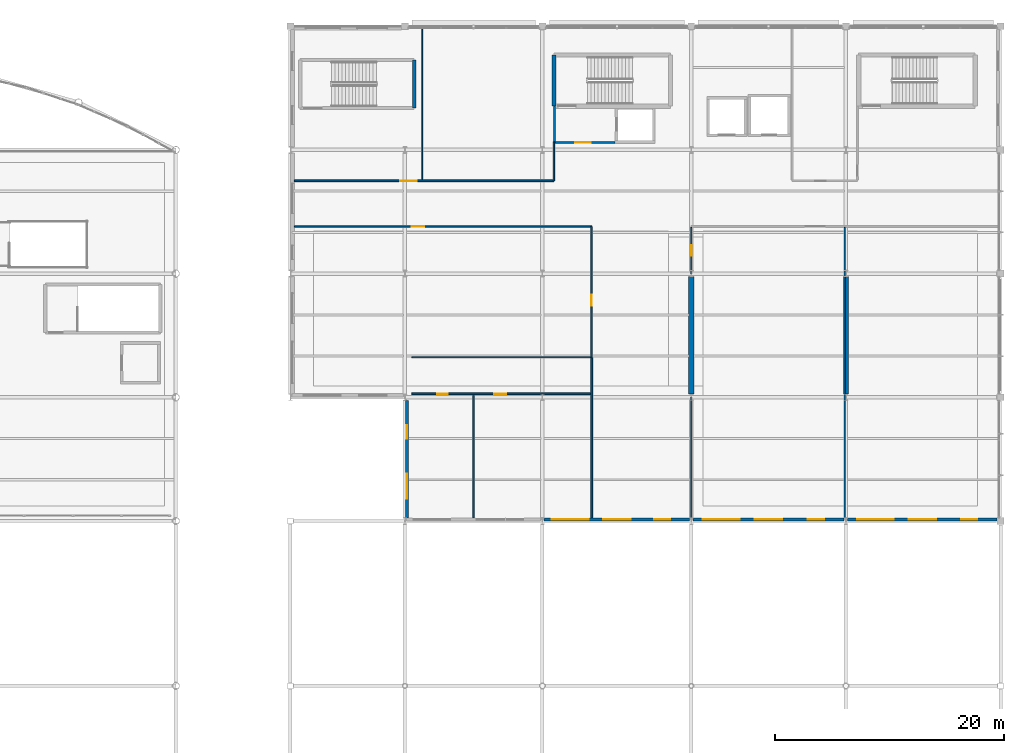
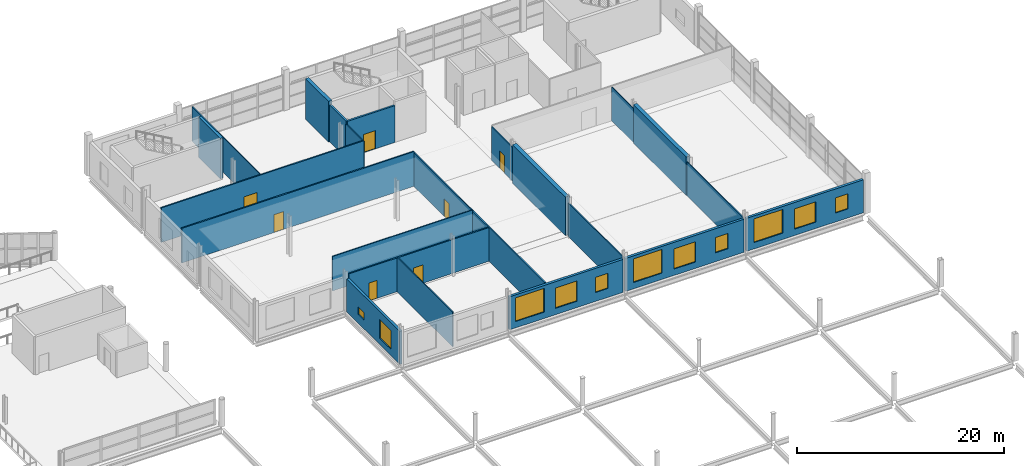
# One storey, part 125 of 134: 22 walls, 11 windows, 7 doors, 18 openings.
"""IFC4 building model written with IfcOpenShell, lengths in metres."""

import ifcopenshell
import ifcopenshell.guid

model = None  # the IFC model being written
_history = None  # IfcOwnerHistory: only IFC2X3 demands one
_inside = {}  # id of a spatial element -> (the spatial element, [elements in it])
_under = {}  # id of a project, library or spatial element -> (it, [spatial elements below it])
_declared = {}  # id of a project -> (the project, [libraries it declares])
_typed = {}  # id of a type object -> (the type object, [elements of that type])
_made_of = {}  # id of a material, layer set ... -> (it, [elements and type objects made of it])


def new_model(schema):
    """Start an empty IFC model of exactly this schema.

    Asked for "IFC4X3", IfcOpenShell would pick the latest addendum, in which some entities
    have other attributes; the version numbers below select the first issue.
    IFC2X3 requires an IfcOwnerHistory on every rooted entity: one is made here for all.
    """
    global model, _history
    if schema == "IFC4X3":
        model = ifcopenshell.file(schema_version=(4, 3, 0, 0))
    else:
        model = ifcopenshell.file(schema=schema)
    _inside.clear()
    _under.clear()
    _declared.clear()
    _typed.clear()
    _made_of.clear()
    _history = None
    if model.schema == "IFC2X3":
        org = make("IfcOrganization", Name="unknown")
        user = make(
            "IfcPersonAndOrganization",
            ThePerson=make("IfcPerson", FamilyName="unknown"),
            TheOrganization=org,
        )
        app = make(
            "IfcApplication",
            ApplicationDeveloper=org,
            Version="unknown",
            ApplicationFullName="unknown",
            ApplicationIdentifier="unknown",
        )
        _history = make(
            "IfcOwnerHistory",
            OwningUser=user,
            OwningApplication=app,
            ChangeAction="ADDED",
            CreationDate=0,
        )
    return model


def make(cls, **values):
    """One entity of the class cls with the attributes given. An attribute that is None is left unset."""
    return model.create_entity(
        cls, **{name: value for name, value in values.items() if value is not None}
    )


def rooted(cls, **values):
    """An entity with a GlobalId (a new one), such as an element, a storey or a relation."""
    return make(cls, GlobalId=ifcopenshell.guid.new(), OwnerHistory=_history, **values)


def si_unit(unit_type, name, prefix=None):
    """IfcSIUnit, for example si_unit("LENGTHUNIT", "METRE", prefix="MILLI")."""
    return make("IfcSIUnit", UnitType=unit_type, Prefix=prefix, Name=name)


def assignment(units):
    """IfcUnitAssignment: the units of a project."""
    return None if units is None else make("IfcUnitAssignment", Units=units)


def point(xyz):
    """IfcCartesianPoint."""
    return None if xyz is None else make("IfcCartesianPoint", Coordinates=xyz)


def direction(xyz):
    """IfcDirection."""
    return None if xyz is None else make("IfcDirection", DirectionRatios=xyz)


def frame(location, z_axis=None, x_axis=None):
    """IfcAxis2Placement3D, a coordinate frame: its origin and axes. An axis left out is left unset."""
    return make(
        "IfcAxis2Placement3D",
        Location=point(location),
        Axis=direction(z_axis),
        RefDirection=direction(x_axis),
    )


def frame_2d(location, x_axis=None):
    """IfcAxis2Placement2D, a coordinate frame in the plane: its origin and x axis."""
    return make(
        "IfcAxis2Placement2D", Location=point(location), RefDirection=direction(x_axis)
    )


def origin():
    """The frame at (0, 0, 0) with its axes left unset."""
    return frame((0.0, 0.0, 0.0))


def place(relative_to, where):
    """IfcLocalPlacement: puts the frame where relative to a parent placement (None: the world)."""
    return make(
        "IfcLocalPlacement", PlacementRelTo=relative_to, RelativePlacement=where
    )


def context(
    kind, dimensions, precision=None, world=None, true_north=None, identifier=None
):
    """IfcGeometricRepresentationContext, for example the 3D "Model" context."""
    return make(
        "IfcGeometricRepresentationContext",
        ContextIdentifier=identifier,
        ContextType=kind,
        CoordinateSpaceDimension=dimensions,
        Precision=precision,
        WorldCoordinateSystem=world,
        TrueNorth=true_north,
    )


def subcontext(parent, identifier, kind, view, scale=None):
    """IfcGeometricRepresentationSubContext, for example "Body" below "Model"."""
    return make(
        "IfcGeometricRepresentationSubContext",
        ContextIdentifier=identifier,
        ContextType=kind,
        ParentContext=parent,
        TargetScale=scale,
        TargetView=view,
    )


def project(units=None, contexts=None):
    """IfcProject with its units and contexts."""
    return rooted(
        "IfcProject",
        Name="project",
        RepresentationContexts=contexts,
        UnitsInContext=assignment(units),
    )


def spatial(cls, under=None, at=None, **own):
    """A site, building, storey or space (cls), placed at a placement, below another one or the project."""
    s = rooted(cls, ObjectPlacement=at, **own)
    if under is not None:
        _under.setdefault(under.id(), (under, []))[1].append(s)
    return s


def profile(cls, at=None, kind="AREA", **sizes):
    """A parametric profile (cls). Its sizes go by their IFC names, for example OverallWidth=200.0."""
    return make(cls, ProfileType=kind, Position=at, **sizes)


def rectangle(**sizes):
    """IfcRectangleProfileDef."""
    return profile("IfcRectangleProfileDef", **sizes)


def extrude(swept, where, along, depth):
    """IfcExtrudedAreaSolid: the profile swept, set in the frame where, extruded along a direction by depth."""
    return make(
        "IfcExtrudedAreaSolid",
        SweptArea=swept,
        Position=where,
        ExtrudedDirection=direction(along),
        Depth=depth,
    )


def shape(context_of_items, identifier, shape_type, items):
    """IfcShapeRepresentation: the items that make up one representation, for example the "Body"."""
    return make(
        "IfcShapeRepresentation",
        ContextOfItems=context_of_items,
        RepresentationIdentifier=identifier,
        RepresentationType=shape_type,
        Items=items,
    )


def material(Name=None, Category=None):
    """IfcMaterial."""
    return make("IfcMaterial", Name=Name, Category=Category)


def layer(
    of_material, thickness, ventilated=None, Name=None, Category=None, Priority=None
):
    """IfcMaterialLayer: one layer of a wall or slab, of a material (None: an air gap)."""
    return make(
        "IfcMaterialLayer",
        Material=of_material,
        LayerThickness=thickness,
        IsVentilated=ventilated,
        Name=Name,
        Category=Category,
        Priority=Priority,
    )


def layer_set(layers, Name=None):
    """IfcMaterialLayerSet."""
    return make("IfcMaterialLayerSet", MaterialLayers=layers, LayerSetName=Name)


def made_of(thing, what):
    """Note that an element or type object is made of a material, layer set ...; save() writes the relation."""
    if what is not None:
        _made_of.setdefault(what.id(), (what, []))[1].append(thing)
    return thing


def type_object(cls, material=None, **own):
    """A type object (cls), such as IfcWallType, which elements share."""
    return made_of(rooted(cls, **own), material)


def element(
    cls,
    number,
    at=None,
    inside=None,
    cuts=None,
    type_object=None,
    material=None,
    context=None,
    identifier="Body",
    shape_type=None,
    held_by="IfcProductDefinitionShape",
    body=None,
    shapes=None,
    **own,
):
    """One element of the class cls, such as IfcWall. Its Tag is "e" and its number.

    at: its placement. inside: the storey or other place that contains it. cuts: it is an
    opening in that element (IfcRelVoidsElement). A single representation is given by context,
    identifier, shape_type and body (its items); several are given by shapes. held_by: the class
    of the entity that holds the representations. save() writes the other relations.
    """
    e = rooted(cls, Tag="e%d" % number, ObjectPlacement=at, **own)
    if body is not None:
        shapes = [shape(context, identifier, shape_type, body)]
    if shapes is not None:
        e.Representation = make(held_by, Representations=shapes)
    if inside is not None:
        _inside.setdefault(inside.id(), (inside, []))[1].append(e)
    if cuts is not None:
        rooted(
            "IfcRelVoidsElement", RelatingBuildingElement=cuts, RelatedOpeningElement=e
        )
    if type_object is not None:
        _typed.setdefault(type_object.id(), (type_object, []))[1].append(e)
    return made_of(e, material)


def fill(opening, filler):
    """IfcRelFillsElement: the door or window that sits in an opening."""
    return rooted(
        "IfcRelFillsElement",
        RelatingOpeningElement=opening,
        RelatedBuildingElement=filler,
    )


def aggregate(whole, parts):
    """IfcRelAggregates: a whole, such as a stair, and the parts it consists of."""
    return rooted("IfcRelAggregates", RelatingObject=whole, RelatedObjects=parts)


def save(model, path):
    """Write the relations noted so far, then the file.

    IfcRelAggregates (storeys below a building ...), IfcRelContainedInSpatialStructure (elements
    in a storey), IfcRelDefinesByType, IfcRelAssociatesMaterial and IfcRelDeclares: one each for
    every whole, place, type object, material and project.
    """
    for whole, parts in _under.values():
        aggregate(whole, parts)
    for where, things in _inside.values():
        rooted(
            "IfcRelContainedInSpatialStructure",
            RelatedElements=things,
            RelatingStructure=where,
        )
    for kind, things in _typed.values():
        rooted("IfcRelDefinesByType", RelatedObjects=things, RelatingType=kind)
    for what, things in _made_of.values():
        rooted("IfcRelAssociatesMaterial", RelatedObjects=things, RelatingMaterial=what)
    for by, libraries in _declared.values():
        rooted("IfcRelDeclares", RelatingContext=by, RelatedDefinitions=libraries)
    model.write(path)


model = new_model("IFC4")

# Units and contexts
model_context = context("Model", 3, precision=1e-05, world=origin(), true_north=direction((0.0, 1.0)))
body_context = subcontext(model_context, "Body", "Model", "MODEL_VIEW")
ifc_project = project(units=[si_unit("LENGTHUNIT", "METRE"), si_unit("AREAUNIT", "SQUARE_METRE"), si_unit("VOLUMEUNIT", "CUBIC_METRE"), si_unit("PLANEANGLEUNIT", "RADIAN"), si_unit("MASSUNIT", "GRAM", prefix="KILO")], contexts=[model_context])

# Site, building, storey
site_placement = place(None, origin())
site = spatial("IfcSite", under=ifc_project, at=site_placement, CompositionType="ELEMENT")
building_placement = place(site_placement, origin())
building = spatial("IfcBuilding", under=site, at=building_placement, Name="Tamarisk Ironworks Central Station", CompositionType="ELEMENT")
storey_placement = place(building_placement, frame((0.0, 0.0, 12.60009765625)))
storey = spatial("IfcBuildingStorey", under=building, at=storey_placement, Name="L02", CompositionType="ELEMENT", Elevation=12.60009765625)

# Wall, openings, windows
ifc_material_1 = material(Name="Clay facing brickwork and mortar", Category="masonry")
ifc_layer_1 = layer(ifc_material_1, 0.280029296875)
ifc_layer_set_1 = layer_set([ifc_layer_1], Name="Clay facing brickwork and mortar")
wall_type_1 = type_object("IfcWallType", Name="WL-BR280", PredefinedType="STANDARD", material=ifc_layer_set_1)
wall_1_placement = place(storey_placement, frame((140.14794921875, 79.340087890625, 0.0), z_axis=(0.0, 0.0, 1.0), x_axis=(1.0, 0.0, 0.0)))
wall_1 = element("IfcWall", 1, at=wall_1_placement, inside=storey, type_object=wall_type_1, Name="L02 brick facade wall 0069", PredefinedType="STANDARD", context=body_context, shape_type="SweptSolid", body=[
    extrude(rectangle(XDim=12.7041015625, YDim=0.280029296875, at=frame_2d((6.35205078125, 0.0))), origin(), (0.0, 0.0, 1.0), 3.89990234375),
])
opening_1_placement = place(wall_1_placement, frame((0.68408203125, 0.0, 0.75)))
opening_1 = element("IfcOpeningElement", 2, at=opening_1_placement, cuts=wall_1, Name="Opening W02", PredefinedType="OPENING", context=body_context, shape_type="SweptSolid", body=[
    extrude(rectangle(XDim=3.199951171875, YDim=2.800048828125, at=frame_2d((1.60009765625, 1.39990234375))), frame((0.0, 0.15185546875, 0.0), z_axis=(0.0, -1.0, 0.0), x_axis=(1.0, 0.0, 0.0)), (0.0, 0.0, 1.0), 0.303955078125),
])
opening_2_placement = place(wall_1_placement, frame((5.152099609375, 0.0, 0.75)))
opening_2 = element("IfcOpeningElement", 3, at=opening_2_placement, cuts=wall_1, Name="Opening W06", PredefinedType="OPENING", context=body_context, shape_type="SweptSolid", body=[
    extrude(rectangle(XDim=2.39990234375, YDim=2.39990234375, at=frame_2d((1.199951171875, 1.199951171875))), frame((0.0, 0.15185546875, 0.0), z_axis=(0.0, -1.0, 0.0), x_axis=(1.0, 0.0, 0.0)), (0.0, 0.0, 1.0), 0.303955078125),
])
opening_3_placement = place(wall_1_placement, frame((9.6201171875, 0.0, 1.050048828125)))
opening_3 = element("IfcOpeningElement", 4, at=opening_3_placement, cuts=wall_1, Name="Opening W12", PredefinedType="OPENING", context=body_context, shape_type="SweptSolid", body=[
    extrude(rectangle(XDim=1.39990234375, YDim=1.800048828125, at=frame_2d((0.699951171875, 0.89990234375))), frame((0.0, 0.15185546875, 0.0), z_axis=(0.0, -1.0, 0.0), x_axis=(1.0, 0.0, 0.0)), (0.0, 0.0, 1.0), 0.303955078125),
])
ifc_material_2 = material(Name="Laminated solar-control low-E glass", Category="glass")
window_type_1 = type_object("IfcWindowType", Name="WN-02", PartitioningType="SINGLE_PANEL", PredefinedType="WINDOW", material=ifc_material_2)
window_1_placement = place(opening_1_placement, origin())
window_1 = element("IfcWindow", 5, at=window_1_placement, inside=storey, type_object=window_type_1, Name="L02 exterior window 0112", OverallHeight=2.800048828125, OverallWidth=3.199951171875, PartitioningType="DOUBLE_PANEL_VERTICAL", PredefinedType="WINDOW", context=body_context, shape_type="SweptSolid", body=[
    extrude(rectangle(XDim=3.199951171875, YDim=2.800048828125, at=frame_2d((1.60009765625, 1.39990234375))), frame((0.0, 0.030029296875, 0.0), z_axis=(0.0, -1.0, 0.0), x_axis=(1.0, 0.0, 0.0)), (0.0, 0.0, 1.0), 0.06005859375),
])
fill(opening_1, window_1)
window_type_2 = type_object("IfcWindowType", Name="WN-06", PartitioningType="SINGLE_PANEL", PredefinedType="WINDOW", material=ifc_material_2)
window_2_placement = place(opening_2_placement, origin())
window_2 = element("IfcWindow", 6, at=window_2_placement, inside=storey, type_object=window_type_2, Name="L02 exterior window 0113", OverallHeight=2.39990234375, OverallWidth=2.39990234375, PartitioningType="DOUBLE_PANEL_VERTICAL", PredefinedType="WINDOW", context=body_context, shape_type="SweptSolid", body=[
    extrude(rectangle(XDim=2.39990234375, YDim=2.39990234375, at=frame_2d((1.199951171875, 1.199951171875))), frame((0.0, 0.030029296875, 0.0), z_axis=(0.0, -1.0, 0.0), x_axis=(1.0, 0.0, 0.0)), (0.0, 0.0, 1.0), 0.06005859375),
])
fill(opening_2, window_2)
window_type_3 = type_object("IfcWindowType", Name="WN-12", PartitioningType="SINGLE_PANEL", PredefinedType="WINDOW", material=ifc_material_2)
window_3_placement = place(opening_3_placement, origin())
window_3 = element("IfcWindow", 7, at=window_3_placement, inside=storey, type_object=window_type_3, Name="L02 exterior window 0114", OverallHeight=1.800048828125, OverallWidth=1.39990234375, PartitioningType="DOUBLE_PANEL_VERTICAL", PredefinedType="WINDOW", context=body_context, shape_type="SweptSolid", body=[
    extrude(rectangle(XDim=1.39990234375, YDim=1.800048828125, at=frame_2d((0.699951171875, 0.89990234375))), frame((0.0, 0.030029296875, 0.0), z_axis=(0.0, -1.0, 0.0), x_axis=(1.0, 0.0, 0.0)), (0.0, 0.0, 1.0), 0.06005859375),
])
fill(opening_3, window_3)

wall_2_placement = place(storey_placement, frame((153.14794921875, 79.340087890625, 0.0), z_axis=(0.0, 0.0, 1.0), x_axis=(1.0, 0.0, 0.0)))
wall_2 = element("IfcWall", 8, at=wall_2_placement, inside=storey, type_object=wall_type_1, Name="L02 brick facade wall 0070", PredefinedType="STANDARD", context=body_context, shape_type="SweptSolid", body=[
    extrude(rectangle(XDim=13.2041015625, YDim=0.280029296875, at=frame_2d((6.60205078125, 0.0))), origin(), (0.0, 0.0, 1.0), 3.89990234375),
])
opening_4_placement = place(wall_2_placement, frame((0.866943359375, 0.0, 0.75)))
opening_4 = element("IfcOpeningElement", 9, at=opening_4_placement, cuts=wall_2, Name="Opening W02", PredefinedType="OPENING", context=body_context, shape_type="SweptSolid", body=[
    extrude(rectangle(XDim=3.199951171875, YDim=2.800048828125, at=frame_2d((1.60009765625, 1.39990234375))), frame((0.0, 0.15185546875, 0.0), z_axis=(0.0, -1.0, 0.0), x_axis=(1.0, 0.0, 0.0)), (0.0, 0.0, 1.0), 0.303955078125),
])
opening_5_placement = place(wall_2_placement, frame((5.402099609375, 0.0, 0.75)))
opening_5 = element("IfcOpeningElement", 10, at=opening_5_placement, cuts=wall_2, Name="Opening W06", PredefinedType="OPENING", context=body_context, shape_type="SweptSolid", body=[
    extrude(rectangle(XDim=2.39990234375, YDim=2.39990234375, at=frame_2d((1.199951171875, 1.199951171875))), frame((0.0, 0.15185546875, 0.0), z_axis=(0.0, -1.0, 0.0), x_axis=(1.0, 0.0, 0.0)), (0.0, 0.0, 1.0), 0.303955078125),
])
opening_6_placement = place(wall_2_placement, frame((10.037109375, 0.0, 1.050048828125)))
opening_6 = element("IfcOpeningElement", 11, at=opening_6_placement, cuts=wall_2, Name="Opening W12", PredefinedType="OPENING", context=body_context, shape_type="SweptSolid", body=[
    extrude(rectangle(XDim=1.39990234375, YDim=1.800048828125, at=frame_2d((0.699951171875, 0.89990234375))), frame((0.0, 0.15185546875, 0.0), z_axis=(0.0, -1.0, 0.0), x_axis=(1.0, 0.0, 0.0)), (0.0, 0.0, 1.0), 0.303955078125),
])
window_4_placement = place(opening_4_placement, origin())
window_4 = element("IfcWindow", 12, at=window_4_placement, inside=storey, type_object=window_type_1, Name="L02 exterior window 0115", OverallHeight=2.800048828125, OverallWidth=3.199951171875, PartitioningType="DOUBLE_PANEL_VERTICAL", PredefinedType="WINDOW", context=body_context, shape_type="SweptSolid", body=[
    extrude(rectangle(XDim=3.199951171875, YDim=2.800048828125, at=frame_2d((1.60009765625, 1.39990234375))), frame((0.0, 0.030029296875, 0.0), z_axis=(0.0, -1.0, 0.0), x_axis=(1.0, 0.0, 0.0)), (0.0, 0.0, 1.0), 0.06005859375),
])
fill(opening_4, window_4)
window_5_placement = place(opening_5_placement, origin())
window_5 = element("IfcWindow", 13, at=window_5_placement, inside=storey, type_object=window_type_2, Name="L02 exterior window 0116", OverallHeight=2.39990234375, OverallWidth=2.39990234375, PartitioningType="DOUBLE_PANEL_VERTICAL", PredefinedType="WINDOW", context=body_context, shape_type="SweptSolid", body=[
    extrude(rectangle(XDim=2.39990234375, YDim=2.39990234375, at=frame_2d((1.199951171875, 1.199951171875))), frame((0.0, 0.030029296875, 0.0), z_axis=(0.0, -1.0, 0.0), x_axis=(1.0, 0.0, 0.0)), (0.0, 0.0, 1.0), 0.06005859375),
])
fill(opening_5, window_5)
window_6_placement = place(opening_6_placement, origin())
window_6 = element("IfcWindow", 14, at=window_6_placement, inside=storey, type_object=window_type_3, Name="L02 exterior window 0117", OverallHeight=1.800048828125, OverallWidth=1.39990234375, PartitioningType="DOUBLE_PANEL_VERTICAL", PredefinedType="WINDOW", context=body_context, shape_type="SweptSolid", body=[
    extrude(rectangle(XDim=1.39990234375, YDim=1.800048828125, at=frame_2d((0.699951171875, 0.89990234375))), frame((0.0, 0.030029296875, 0.0), z_axis=(0.0, -1.0, 0.0), x_axis=(1.0, 0.0, 0.0)), (0.0, 0.0, 1.0), 0.06005859375),
])
fill(opening_6, window_6)

wall_3_placement = place(storey_placement, frame((166.64794921875, 79.340087890625, 0.0), z_axis=(0.0, 0.0, 1.0), x_axis=(1.0, 0.0, 0.0)))
wall_3 = element("IfcWall", 15, at=wall_3_placement, inside=storey, type_object=wall_type_1, Name="L02 brick facade wall 0071", PredefinedType="STANDARD", context=body_context, shape_type="SweptSolid", body=[
    extrude(rectangle(XDim=13.053955078125, YDim=0.280029296875, at=frame_2d((6.52685546875, 0.0))), origin(), (0.0, 0.0, 1.0), 3.89990234375),
])
opening_7_placement = place(wall_3_placement, frame((0.842041015625, 0.0, 0.75)))
opening_7 = element("IfcOpeningElement", 16, at=opening_7_placement, cuts=wall_3, Name="Opening W02", PredefinedType="OPENING", context=body_context, shape_type="SweptSolid", body=[
    extrude(rectangle(XDim=3.199951171875, YDim=2.800048828125, at=frame_2d((1.60009765625, 1.39990234375))), frame((0.0, 0.15185546875, 0.0), z_axis=(0.0, -1.0, 0.0), x_axis=(1.0, 0.0, 0.0)), (0.0, 0.0, 1.0), 0.303955078125),
])
opening_8_placement = place(wall_3_placement, frame((5.326904296875, 0.0, 0.75)))
opening_8 = element("IfcOpeningElement", 17, at=opening_8_placement, cuts=wall_3, Name="Opening W06", PredefinedType="OPENING", context=body_context, shape_type="SweptSolid", body=[
    extrude(rectangle(XDim=2.39990234375, YDim=2.39990234375, at=frame_2d((1.199951171875, 1.199951171875))), frame((0.0, 0.15185546875, 0.0), z_axis=(0.0, -1.0, 0.0), x_axis=(1.0, 0.0, 0.0)), (0.0, 0.0, 1.0), 0.303955078125),
])
opening_9_placement = place(wall_3_placement, frame((9.912109375, 0.0, 1.050048828125)))
opening_9 = element("IfcOpeningElement", 18, at=opening_9_placement, cuts=wall_3, Name="Opening W12", PredefinedType="OPENING", context=body_context, shape_type="SweptSolid", body=[
    extrude(rectangle(XDim=1.39990234375, YDim=1.800048828125, at=frame_2d((0.699951171875, 0.89990234375))), frame((0.0, 0.15185546875, 0.0), z_axis=(0.0, -1.0, 0.0), x_axis=(1.0, 0.0, 0.0)), (0.0, 0.0, 1.0), 0.303955078125),
])
window_7_placement = place(opening_7_placement, origin())
window_7 = element("IfcWindow", 19, at=window_7_placement, inside=storey, type_object=window_type_1, Name="L02 exterior window 0118", OverallHeight=2.800048828125, OverallWidth=3.199951171875, PartitioningType="DOUBLE_PANEL_VERTICAL", PredefinedType="WINDOW", context=body_context, shape_type="SweptSolid", body=[
    extrude(rectangle(XDim=3.199951171875, YDim=2.800048828125, at=frame_2d((1.60009765625, 1.39990234375))), frame((0.0, 0.030029296875, 0.0), z_axis=(0.0, -1.0, 0.0), x_axis=(1.0, 0.0, 0.0)), (0.0, 0.0, 1.0), 0.06005859375),
])
fill(opening_7, window_7)
window_8_placement = place(opening_8_placement, origin())
window_8 = element("IfcWindow", 20, at=window_8_placement, inside=storey, type_object=window_type_2, Name="L02 exterior window 0119", OverallHeight=2.39990234375, OverallWidth=2.39990234375, PartitioningType="DOUBLE_PANEL_VERTICAL", PredefinedType="WINDOW", context=body_context, shape_type="SweptSolid", body=[
    extrude(rectangle(XDim=2.39990234375, YDim=2.39990234375, at=frame_2d((1.199951171875, 1.199951171875))), frame((0.0, 0.030029296875, 0.0), z_axis=(0.0, -1.0, 0.0), x_axis=(1.0, 0.0, 0.0)), (0.0, 0.0, 1.0), 0.06005859375),
])
fill(opening_8, window_8)
window_9_placement = place(opening_9_placement, origin())
window_9 = element("IfcWindow", 21, at=window_9_placement, inside=storey, type_object=window_type_3, Name="L02 exterior window 0120", OverallHeight=1.800048828125, OverallWidth=1.39990234375, PartitioningType="DOUBLE_PANEL_VERTICAL", PredefinedType="WINDOW", context=body_context, shape_type="SweptSolid", body=[
    extrude(rectangle(XDim=1.39990234375, YDim=1.800048828125, at=frame_2d((0.699951171875, 0.89990234375))), frame((0.0, 0.030029296875, 0.0), z_axis=(0.0, -1.0, 0.0), x_axis=(1.0, 0.0, 0.0)), (0.0, 0.0, 1.0), 0.06005859375),
])
fill(opening_9, window_9)

wall_4_placement = place(storey_placement, frame((128.169921875, 79.472900390625, 0.0), z_axis=(0.0, 0.0, 1.0), x_axis=(0.0, 1.0, 0.0)))
wall_4 = element("IfcWall", 22, at=wall_4_placement, inside=storey, type_object=wall_type_1, Name="L02 brick facade wall 0076", PredefinedType="STANDARD", context=body_context, shape_type="SweptSolid", body=[
    extrude(rectangle(XDim=10.254150390625, YDim=0.280029296875, at=frame_2d((5.126953125, 0.0))), origin(), (0.0, 0.0, 1.0), 3.89990234375),
])
opening_10_placement = place(wall_4_placement, frame((1.6640625, 0.0, 0.75)))
opening_10 = element("IfcOpeningElement", 23, at=opening_10_placement, cuts=wall_4, Name="Opening W07", PredefinedType="OPENING", context=body_context, shape_type="SweptSolid", body=[
    extrude(rectangle(XDim=2.199951171875, YDim=2.199951171875, at=frame_2d((1.10009765625, 1.10009765625))), frame((0.0, 0.15185546875, 0.0), z_axis=(0.0, -1.0, 0.0), x_axis=(1.0, 0.0, 0.0)), (0.0, 0.0, 1.0), 0.303955078125),
])
opening_11_placement = place(wall_4_placement, frame((6.89111328125, 0.0, 1.050048828125)))
opening_11 = element("IfcOpeningElement", 24, at=opening_11_placement, cuts=wall_4, Name="Opening W19", PredefinedType="OPENING", context=body_context, shape_type="SweptSolid", body=[
    extrude(rectangle(XDim=1.199951171875, YDim=0.89990234375, at=frame_2d((0.60009765625, 0.449951171875))), frame((0.0, 0.15185546875, 0.0), z_axis=(0.0, -1.0, 0.0), x_axis=(1.0, 0.0, 0.0)), (0.0, 0.0, 1.0), 0.303955078125),
])
window_type_4 = type_object("IfcWindowType", Name="WN-07", PartitioningType="SINGLE_PANEL", PredefinedType="WINDOW", material=ifc_material_2)
window_10_placement = place(opening_10_placement, origin())
window_10 = element("IfcWindow", 25, at=window_10_placement, inside=storey, type_object=window_type_4, Name="L02 exterior window 0129", OverallHeight=2.199951171875, OverallWidth=2.199951171875, PartitioningType="DOUBLE_PANEL_VERTICAL", PredefinedType="WINDOW", context=body_context, shape_type="SweptSolid", body=[
    extrude(rectangle(XDim=2.199951171875, YDim=2.199951171875, at=frame_2d((1.10009765625, 1.10009765625))), frame((0.0, 0.030029296875, 0.0), z_axis=(0.0, -1.0, 0.0), x_axis=(1.0, 0.0, 0.0)), (0.0, 0.0, 1.0), 0.06005859375),
])
fill(opening_10, window_10)
window_type_5 = type_object("IfcWindowType", Name="WN-19", PartitioningType="SINGLE_PANEL", PredefinedType="WINDOW", material=ifc_material_2)
window_11_placement = place(opening_11_placement, origin())
window_11 = element("IfcWindow", 26, at=window_11_placement, inside=storey, type_object=window_type_5, Name="L02 exterior window 0130", OverallHeight=0.89990234375, OverallWidth=1.199951171875, PartitioningType="DOUBLE_PANEL_VERTICAL", PredefinedType="WINDOW", context=body_context, shape_type="SweptSolid", body=[
    extrude(rectangle(XDim=1.199951171875, YDim=0.89990234375, at=frame_2d((0.60009765625, 0.449951171875))), frame((0.0, 0.030029296875, 0.0), z_axis=(0.0, -1.0, 0.0), x_axis=(1.0, 0.0, 0.0)), (0.0, 0.0, 1.0), 0.06005859375),
])
fill(opening_11, window_11)

# Walls
ifc_material_3 = material(Name="Concrete C50/60", Category="concrete")
ifc_layer_2 = layer(ifc_material_3, 0.300048828125)
ifc_layer_set_2 = layer_set([ifc_layer_2], Name="Concrete C50/60")
wall_type_2 = type_object("IfcWallType", Name="WL-CW300", PredefinedType="SOLIDWALL", material=ifc_layer_set_2)
wall_5_placement = place(storey_placement, frame((128.794921875, 115.2548828125, 0.0), z_axis=(0.0, 0.0, 1.0), x_axis=(0.0, 1.0, 0.0)))
element("IfcWall", 27, at=wall_5_placement, inside=storey, type_object=wall_type_2, Name="ST-C5 core wall F (L02)", PredefinedType="SOLIDWALL", context=body_context, shape_type="SweptSolid", body=[
    extrude(rectangle(XDim=4.190185546875, YDim=0.300048828125, at=frame_2d((2.09521484375, 0.0))), origin(), (0.0, 0.0, 1.0), 4.7998046875),
])
ifc_layer_3 = layer(ifc_material_3, 0.3798828125)
ifc_layer_set_3 = layer_set([ifc_layer_3], Name="Concrete C50/60")
wall_type_3 = type_object("IfcWallType", Name="WL-CW380", PredefinedType="SOLIDWALL", material=ifc_layer_set_3)
wall_6_placement = place(storey_placement, frame((141.014892578125, 115.4150390625, 0.0), z_axis=(0.0, 0.0, 1.0), x_axis=(0.0, 1.0, 0.0)))
element("IfcWall", 28, at=wall_6_placement, inside=storey, type_object=wall_type_3, Name="ST-C1 core wall N (L02)", PredefinedType="SOLIDWALL", context=body_context, shape_type="SweptSolid", body=[
    extrude(rectangle(XDim=4.469970703125, YDim=0.3798828125, at=frame_2d((2.23486328125, 0.0))), origin(), (0.0, 0.0, 1.0), 4.7998046875),
])
ifc_material_4 = material(Name="Gypsum plasterboard acoustic partition")
ifc_layer_4 = layer(ifc_material_4, 0.10009765625)
ifc_layer_set_4 = layer_set([ifc_layer_4], Name="Gypsum plasterboard acoustic partition")
wall_type_4 = type_object("IfcWallType", Name="WL-MV100", PredefinedType="MOVABLE", material=ifc_layer_set_4)
wall_7_placement = place(storey_placement, frame((166.39990234375, 79.47802734375, 0.0), z_axis=(0.0, 0.0, 1.0), x_axis=(0.0, 1.0, 0.0)))
element("IfcWall", 29, at=wall_7_placement, inside=storey, type_object=wall_type_4, Name="L02 acoustic operable folding partition 01", PredefinedType="MOVABLE", context=body_context, shape_type="SweptSolid", body=[
    extrude(rectangle(XDim=25.348876953125, YDim=0.10009765625, at=frame_2d((12.67431640625, 0.0))), origin(), (0.0, 0.0, 1.0), 3.989990234375),
])
wall_8_placement = place(storey_placement, frame((129.5, 108.972900390625, 0.0), z_axis=(0.0, 0.0, 1.0), x_axis=(0.0, 1.0, 0.0)))
element("IfcWall", 30, at=wall_8_placement, inside=storey, type_object=wall_type_4, Name="L02 acoustic operable folding partition 02", PredefinedType="MOVABLE", context=body_context, shape_type="SweptSolid", body=[
    extrude(rectangle(XDim=13.189208984375, YDim=0.10009765625, at=frame_2d((6.5947265625, 0.0))), origin(), (0.0, 0.0, 1.0), 4.08984375),
])
ifc_layer_5 = layer(ifc_material_4, 0.1201171875)
ifc_layer_set_5 = layer_set([ifc_layer_5], Name="Gypsum plasterboard acoustic partition")
wall_type_5 = type_object("IfcWallType", Name="WL-PT120", PredefinedType="PARTITIONING", material=ifc_layer_set_5)
wall_9_placement = place(storey_placement, frame((128.60009765625, 93.5, 0.0), z_axis=(0.0, 0.0, 1.0), x_axis=(1.0, 0.0, 0.0)))
element("IfcWall", 31, at=wall_9_placement, inside=storey, type_object=wall_type_5, Name="L02 interior partition 0089", PredefinedType="PARTITIONING", context=body_context, shape_type="SweptSolid", body=[
    extrude(rectangle(XDim=15.699951171875, YDim=0.1201171875, at=frame_2d((7.85009765625, 0.0))), origin(), (0.0, 0.0, 1.0), 4.08984375),
])

# Wall, opening, door
wall_10_placement = place(storey_placement, frame((144.300048828125, 93.5, 0.0), z_axis=(0.0, 0.0, 1.0), x_axis=(0.0, 1.0, 0.0)))
wall_10 = element("IfcWall", 32, at=wall_10_placement, inside=storey, type_object=wall_type_5, Name="L02 interior partition 0090", PredefinedType="PARTITIONING", context=body_context, shape_type="SweptSolid", body=[
    extrude(rectangle(XDim=11.39990234375, YDim=0.1201171875, at=frame_2d((5.699951171875, 0.0))), origin(), (0.0, 0.0, 1.0), 3.989990234375),
])
opening_12_placement = place(wall_10_placement, frame((4.5, 0.0, 0.0048828125)))
opening_12 = element("IfcOpeningElement", 33, at=opening_12_placement, cuts=wall_10, Name="Opening D07", PredefinedType="OPENING", context=body_context, shape_type="SweptSolid", body=[
    extrude(rectangle(XDim=0.949951171875, YDim=2.10009765625, at=frame_2d((0.47509765625, 1.050048828125))), frame((0.0, 0.072021484375, 0.0), z_axis=(0.0, -1.0, 0.0), x_axis=(1.0, 0.0, 0.0)), (0.0, 0.0, 1.0), 0.14404296875),
])
ifc_material_5 = material(Name="FSC certified tropical hardwood timber", Category="wood")
door_type_1 = type_object("IfcDoorType", Name="DR-ID07", OperationType="NOTDEFINED", PredefinedType="DOOR", material=ifc_material_5)
door_1_placement = place(opening_12_placement, origin())
door_1 = element("IfcDoor", 34, at=door_1_placement, inside=storey, type_object=door_type_1, Name="L02 room door 0066", OperationType="SINGLE_SWING_LEFT", OverallHeight=2.10009765625, OverallWidth=0.949951171875, PredefinedType="DOOR", context=body_context, shape_type="SweptSolid", body=[
    extrude(rectangle(XDim=0.949951171875, YDim=2.10009765625, at=frame_2d((0.47509765625, 1.050048828125))), frame((0.0, 0.02490234375, 0.0), z_axis=(0.0, -1.0, 0.0), x_axis=(1.0, 0.0, 0.0)), (0.0, 0.0, 1.0), 0.050048828125),
])
fill(opening_12, door_1)

# Wall
wall_11_placement = place(storey_placement, frame((153.0, 79.47802734375, 0.0), z_axis=(0.0, 0.0, 1.0), x_axis=(0.0, 1.0, 0.0)))
element("IfcWall", 35, at=wall_11_placement, inside=storey, type_object=wall_type_5, Name="L02 interior partition 0092", PredefinedType="PARTITIONING", context=body_context, shape_type="SweptSolid", body=[
    extrude(rectangle(XDim=10.52197265625, YDim=0.1201171875, at=frame_2d((5.260986328125, 0.0))), origin(), (0.0, 0.0, 1.0), 3.989990234375),
])

# Wall, opening, door
wall_12_placement = place(storey_placement, frame((153.0, 100.800048828125, 0.0), z_axis=(0.0, 0.0, 1.0), x_axis=(0.0, 1.0, 0.0)))
wall_12 = element("IfcWall", 36, at=wall_12_placement, inside=storey, type_object=wall_type_5, Name="L02 interior partition 0093", PredefinedType="PARTITIONING", context=body_context, shape_type="SweptSolid", body=[
    extrude(rectangle(XDim=4.02685546875, YDim=0.1201171875, at=frame_2d((2.013427734375, 0.0))), origin(), (0.0, 0.0, 1.0), 3.989990234375),
])
opening_13_placement = place(wall_12_placement, frame((1.5390625, 0.0, 0.0048828125)))
opening_13 = element("IfcOpeningElement", 37, at=opening_13_placement, cuts=wall_12, Name="Opening D07", PredefinedType="OPENING", context=body_context, shape_type="SweptSolid", body=[
    extrude(rectangle(XDim=0.949951171875, YDim=2.10009765625, at=frame_2d((0.47509765625, 1.050048828125))), frame((0.0, 0.072021484375, 0.0), z_axis=(0.0, -1.0, 0.0), x_axis=(1.0, 0.0, 0.0)), (0.0, 0.0, 1.0), 0.14404296875),
])
door_2_placement = place(opening_13_placement, origin())
door_2 = element("IfcDoor", 38, at=door_2_placement, inside=storey, type_object=door_type_1, Name="L02 room door 0067", OperationType="SINGLE_SWING_RIGHT", OverallHeight=2.10009765625, OverallWidth=0.949951171875, PredefinedType="DOOR", context=body_context, shape_type="SweptSolid", body=[
    extrude(rectangle(XDim=0.949951171875, YDim=2.10009765625, at=frame_2d((0.47509765625, 1.050048828125))), frame((0.0, 0.02490234375, 0.0), z_axis=(0.0, -1.0, 0.0), x_axis=(1.0, 0.0, 0.0)), (0.0, 0.0, 1.0), 0.050048828125),
])
fill(opening_13, door_2)

# Walls
wall_13_placement = place(storey_placement, frame((141.0, 108.89990234375, 0.0), z_axis=(0.0, 0.0, 1.0), x_axis=(0.0, 1.0, 0.0)))
element("IfcWall", 39, at=wall_13_placement, inside=storey, type_object=wall_type_5, Name="L02 interior partition 0095", PredefinedType="PARTITIONING", context=body_context, shape_type="SweptSolid", body=[
    extrude(rectangle(XDim=3.400146484375, YDim=0.1201171875, at=frame_2d((1.7001953125, 0.0))), origin(), (0.0, 0.0, 1.0), 3.989990234375),
])
wall_14_placement = place(storey_placement, frame((134.0, 79.47802734375, 0.0), z_axis=(0.0, 0.0, 1.0), x_axis=(0.0, 1.0, 0.0)))
element("IfcWall", 40, at=wall_14_placement, inside=storey, type_object=wall_type_5, Name="L02 interior partition 0100", PredefinedType="PARTITIONING", context=body_context, shape_type="SweptSolid", body=[
    extrude(rectangle(XDim=10.7490234375, YDim=0.1201171875, at=frame_2d((5.37451171875, 0.0))), origin(), (0.0, 0.0, 1.0), 4.08984375),
])

# Wall, opening, door
ifc_layer_6 = layer(ifc_material_4, 0.14990234375)
ifc_layer_set_6 = layer_set([ifc_layer_6], Name="Gypsum plasterboard acoustic partition")
wall_type_6 = type_object("IfcWallType", Name="WL-PT150", PredefinedType="PARTITIONING", material=ifc_layer_set_6)
wall_15_placement = place(storey_placement, frame((118.337890625, 104.89990234375, 0.0), z_axis=(0.0, 0.0, 1.0), x_axis=(1.0, 0.0, 0.0)))
wall_15 = element("IfcWall", 41, at=wall_15_placement, inside=storey, type_object=wall_type_6, Name="L02 interior partition 0087", PredefinedType="PARTITIONING", context=body_context, shape_type="SweptSolid", body=[
    extrude(rectangle(XDim=25.962158203125, YDim=0.14990234375, at=frame_2d((12.98095703125, 0.0))), origin(), (0.0, 0.0, 1.0), 4.08984375),
])
opening_14_placement = place(wall_15_placement, frame((10.261962890625, 0.0, 0.0048828125)))
opening_14 = element("IfcOpeningElement", 42, at=opening_14_placement, cuts=wall_15, Name="Opening D05", PredefinedType="OPENING", context=body_context, shape_type="SweptSolid", body=[
    extrude(rectangle(XDim=1.10009765625, YDim=2.10009765625, at=frame_2d((0.550048828125, 1.050048828125))), frame((0.0, 0.0869140625, 0.0), z_axis=(0.0, -1.0, 0.0), x_axis=(1.0, 0.0, 0.0)), (0.0, 0.0, 1.0), 0.173828125),
])
door_type_2 = type_object("IfcDoorType", Name="DR-ID05", OperationType="NOTDEFINED", PredefinedType="DOOR", material=ifc_material_5)
door_3_placement = place(opening_14_placement, origin())
door_3 = element("IfcDoor", 43, at=door_3_placement, inside=storey, type_object=door_type_2, Name="L02 room door 0064", OperationType="SINGLE_SWING_LEFT", OverallHeight=2.10009765625, OverallWidth=1.10009765625, PredefinedType="DOOR", context=body_context, shape_type="SweptSolid", body=[
    extrude(rectangle(XDim=1.10009765625, YDim=2.10009765625, at=frame_2d((0.550048828125, 1.050048828125))), frame((0.0, 0.02490234375, 0.0), z_axis=(0.0, -1.0, 0.0), x_axis=(1.0, 0.0, 0.0)), (0.0, 0.0, 1.0), 0.050048828125),
])
fill(opening_14, door_3)

# Wall
wall_16_placement = place(storey_placement, frame((144.300048828125, 79.47802734375, 0.0), z_axis=(0.0, 0.0, 1.0), x_axis=(0.0, 1.0, 0.0)))
element("IfcWall", 44, at=wall_16_placement, inside=storey, type_object=wall_type_6, Name="L02 interior partition 0091", PredefinedType="PARTITIONING", context=body_context, shape_type="SweptSolid", body=[
    extrude(rectangle(XDim=13.9638671875, YDim=0.14990234375, at=frame_2d((6.98193359375, 0.0))), origin(), (0.0, 0.0, 1.0), 3.989990234375),
])

# Wall, opening, door
wall_17_placement = place(storey_placement, frame((118.337890625, 108.89990234375, 0.0), z_axis=(0.0, 0.0, 1.0), x_axis=(1.0, 0.0, 0.0)))
wall_17 = element("IfcWall", 45, at=wall_17_placement, inside=storey, type_object=wall_type_6, Name="L02 interior partition 0094", PredefinedType="PARTITIONING", context=body_context, shape_type="SweptSolid", body=[
    extrude(rectangle(XDim=22.662109375, YDim=0.14990234375, at=frame_2d((11.3310546875, 0.0))), origin(), (0.0, 0.0, 1.0), 4.08984375),
])
opening_15_placement = place(wall_17_placement, frame((9.261962890625, 0.0, 0.0048828125)))
opening_15 = element("IfcOpeningElement", 46, at=opening_15_placement, cuts=wall_17, Name="Opening D04", PredefinedType="OPENING", context=body_context, shape_type="SweptSolid", body=[
    extrude(rectangle(XDim=1.449951171875, YDim=2.14990234375, at=frame_2d((0.72509765625, 1.074951171875))), frame((0.0, 0.0869140625, 0.0), z_axis=(0.0, -1.0, 0.0), x_axis=(1.0, 0.0, 0.0)), (0.0, 0.0, 1.0), 0.173828125),
])
door_type_3 = type_object("IfcDoorType", Name="DR-ID04", OperationType="NOTDEFINED", PredefinedType="DOOR", material=ifc_material_5)
door_4_placement = place(opening_15_placement, origin())
door_4 = element("IfcDoor", 47, at=door_4_placement, inside=storey, type_object=door_type_3, Name="L02 room door 0068", OperationType="DOUBLE_DOOR_SINGLE_SWING", OverallHeight=2.14990234375, OverallWidth=1.449951171875, PredefinedType="DOOR", context=body_context, shape_type="SweptSolid", body=[
    extrude(rectangle(XDim=1.449951171875, YDim=2.14990234375, at=frame_2d((0.72509765625, 1.074951171875))), frame((0.0, 0.02490234375, 0.0), z_axis=(0.0, -1.0, 0.0), x_axis=(1.0, 0.0, 0.0)), (0.0, 0.0, 1.0), 0.050048828125),
])
fill(opening_15, door_4)

# Wall, openings, doors
wall_18_placement = place(storey_placement, frame((128.60009765625, 90.300048828125, 0.0), z_axis=(0.0, 0.0, 1.0), x_axis=(1.0, 0.0, 0.0)))
wall_18 = element("IfcWall", 48, at=wall_18_placement, inside=storey, type_object=wall_type_6, Name="L02 interior partition 0099", PredefinedType="PARTITIONING", context=body_context, shape_type="SweptSolid", body=[
    extrude(rectangle(XDim=15.626953125, YDim=0.14990234375, at=frame_2d((7.8134765625, 0.0))), origin(), (0.0, 0.0, 1.0), 3.989990234375),
])
opening_16_placement = place(wall_18_placement, frame((2.199951171875, 0.0, 0.0048828125)))
opening_16 = element("IfcOpeningElement", 49, at=opening_16_placement, cuts=wall_18, Name="Opening WC01", PredefinedType="OPENING", context=body_context, shape_type="SweptSolid", body=[
    extrude(rectangle(XDim=0.919921875, YDim=2.1201171875, at=frame_2d((0.4599609375, 1.06005859375))), frame((0.0, 0.0869140625, 0.0), z_axis=(0.0, -1.0, 0.0), x_axis=(1.0, 0.0, 0.0)), (0.0, 0.0, 1.0), 0.173828125),
])
opening_17_placement = place(wall_18_placement, frame((7.199951171875, 0.0, 0.0048828125)))
opening_17 = element("IfcOpeningElement", 50, at=opening_17_placement, cuts=wall_18, Name="Opening WC02", PredefinedType="OPENING", context=body_context, shape_type="SweptSolid", body=[
    extrude(rectangle(XDim=1.050048828125, YDim=2.14990234375, at=frame_2d((0.52490234375, 1.074951171875))), frame((0.0, 0.0869140625, 0.0), z_axis=(0.0, -1.0, 0.0), x_axis=(1.0, 0.0, 0.0)), (0.0, 0.0, 1.0), 0.173828125),
])
door_type_4 = type_object("IfcDoorType", Name="DR-WC01", OperationType="NOTDEFINED", PredefinedType="DOOR", material=ifc_material_5)
door_5_placement = place(opening_16_placement, origin())
door_5 = element("IfcDoor", 51, at=door_5_placement, inside=storey, type_object=door_type_4, Name="L02 room door 0071", OperationType="SINGLE_SWING_LEFT", OverallHeight=2.1201171875, OverallWidth=0.919921875, PredefinedType="DOOR", context=body_context, shape_type="SweptSolid", body=[
    extrude(rectangle(XDim=0.919921875, YDim=2.1201171875, at=frame_2d((0.4599609375, 1.06005859375))), frame((0.0, 0.02490234375, 0.0), z_axis=(0.0, -1.0, 0.0), x_axis=(1.0, 0.0, 0.0)), (0.0, 0.0, 1.0), 0.050048828125),
])
fill(opening_16, door_5)
door_type_5 = type_object("IfcDoorType", Name="DR-WC02", OperationType="NOTDEFINED", PredefinedType="DOOR", material=ifc_material_5)
door_6_placement = place(opening_17_placement, origin())
door_6 = element("IfcDoor", 52, at=door_6_placement, inside=storey, type_object=door_type_5, Name="L02 room door 0072", OperationType="SINGLE_SWING_RIGHT", OverallHeight=2.14990234375, OverallWidth=1.050048828125, PredefinedType="DOOR", context=body_context, shape_type="SweptSolid", body=[
    extrude(rectangle(XDim=1.050048828125, YDim=2.14990234375, at=frame_2d((0.52490234375, 1.074951171875))), frame((0.0, 0.02490234375, 0.0), z_axis=(0.0, -1.0, 0.0), x_axis=(1.0, 0.0, 0.0)), (0.0, 0.0, 1.0), 0.050048828125),
])
fill(opening_17, door_6)

# Wall, opening, door
ifc_layer_7 = layer(ifc_material_1, 0.199951171875)
ifc_layer_set_7 = layer_set([ifc_layer_7], Name="Clay facing brickwork and mortar")
wall_type_7 = type_object("IfcWallType", Name="WL-PT200", PredefinedType="PARTITIONING", material=ifc_layer_set_7)
wall_19_placement = place(storey_placement, frame((141.050048828125, 112.25, 0.0), z_axis=(0.0, 0.0, 1.0), x_axis=(1.0, 0.0, 0.0)))
wall_19 = element("IfcWall", 53, at=wall_19_placement, inside=storey, type_object=wall_type_7, Name="Firefighting lift lobby south wall (L02)", PredefinedType="PARTITIONING", context=body_context, shape_type="SweptSolid", body=[
    extrude(rectangle(XDim=5.300048828125, YDim=0.199951171875, at=frame_2d((2.64990234375, 0.0))), origin(), (0.0, 0.0, 1.0), 4.349853515625),
])
opening_18_placement = place(wall_19_placement, frame((1.800048828125, 0.0, 0.0048828125)))
opening_18 = element("IfcOpeningElement", 54, at=opening_18_placement, cuts=wall_19, Name="Opening FD05", PredefinedType="OPENING", context=body_context, shape_type="SweptSolid", body=[
    extrude(rectangle(XDim=1.35009765625, YDim=2.14990234375, at=frame_2d((0.675048828125, 1.074951171875))), frame((0.0, 0.11181640625, 0.0), z_axis=(0.0, -1.0, 0.0), x_axis=(1.0, 0.0, 0.0)), (0.0, 0.0, 1.0), 0.223876953125),
])
ifc_material_6 = material(Name="Galvanised hollow-metal door steel", Category="steel")
door_type_6 = type_object("IfcDoorType", Name="DR-FD05", OperationType="NOTDEFINED", PredefinedType="DOOR", material=ifc_material_6)
door_7_placement = place(opening_18_placement, origin())
door_7 = element("IfcDoor", 55, at=door_7_placement, inside=storey, type_object=door_type_6, Name="Firefighting lift lobby fire door (L02)", OperationType="SINGLE_SWING_LEFT", OverallHeight=2.14990234375, OverallWidth=1.35009765625, PredefinedType="DOOR", context=body_context, shape_type="SweptSolid", body=[
    extrude(rectangle(XDim=1.35009765625, YDim=2.14990234375, at=frame_2d((0.675048828125, 1.074951171875))), frame((0.0, 0.02490234375, 0.0), z_axis=(0.0, -1.0, 0.0), x_axis=(1.0, 0.0, 0.0)), (0.0, 0.0, 1.0), 0.050048828125),
])
fill(opening_18, door_7)

# Walls
wall_20_placement = place(storey_placement, frame((141.050048828125, 112.25, 0.0), z_axis=(0.0, 0.0, 1.0), x_axis=(0.0, 1.0, 0.0)))
element("IfcWall", 56, at=wall_20_placement, inside=storey, type_object=wall_type_7, Name="Firefighting lift lobby west wall (L02)", PredefinedType="PARTITIONING", context=body_context, shape_type="SweptSolid", body=[
    extrude(rectangle(XDim=3.199951171875, YDim=0.199951171875, at=frame_2d((1.60009765625, 0.0))), origin(), (0.0, 0.0, 1.0), 4.349853515625),
])
ifc_layer_8 = layer(ifc_material_3, 0.419921875)
ifc_layer_set_8 = layer_set([ifc_layer_8], Name="Concrete C50/60")
wall_type_8 = type_object("IfcWallType", Name="WL-SW420", PredefinedType="SHEAR", material=ifc_layer_set_8)
wall_21_placement = place(storey_placement, frame((166.5, 90.27294921875, 0.0), z_axis=(0.0, 0.0, 1.0), x_axis=(0.0, 1.0, 0.0)))
element("IfcWall", 57, at=wall_21_placement, inside=storey, type_object=wall_type_8, Name="L02 lateral shear wall 10", PredefinedType="SHEAR", context=body_context, shape_type="SweptSolid", body=[
    extrude(rectangle(XDim=10.254150390625, YDim=0.419921875, at=frame_2d((5.126953125, 0.0))), origin(), (0.0, 0.0, 1.0), 4.5498046875),
])
ifc_layer_9 = layer(ifc_material_3, 0.4599609375)
ifc_layer_set_9 = layer_set([ifc_layer_9], Name="Concrete C50/60")
wall_type_9 = type_object("IfcWallType", Name="WL-SW460", PredefinedType="SHEAR", material=ifc_layer_set_9)
wall_22_placement = place(storey_placement, frame((153.0, 90.27294921875, 0.0), z_axis=(0.0, 0.0, 1.0), x_axis=(0.0, 1.0, 0.0)))
element("IfcWall", 58, at=wall_22_placement, inside=storey, type_object=wall_type_9, Name="L02 lateral shear wall 09", PredefinedType="SHEAR", context=body_context, shape_type="SweptSolid", body=[
    extrude(rectangle(XDim=10.254150390625, YDim=0.4599609375, at=frame_2d((5.126953125, 0.0))), origin(), (0.0, 0.0, 1.0), 4.5498046875),
])

save(model, "model.ifc")
